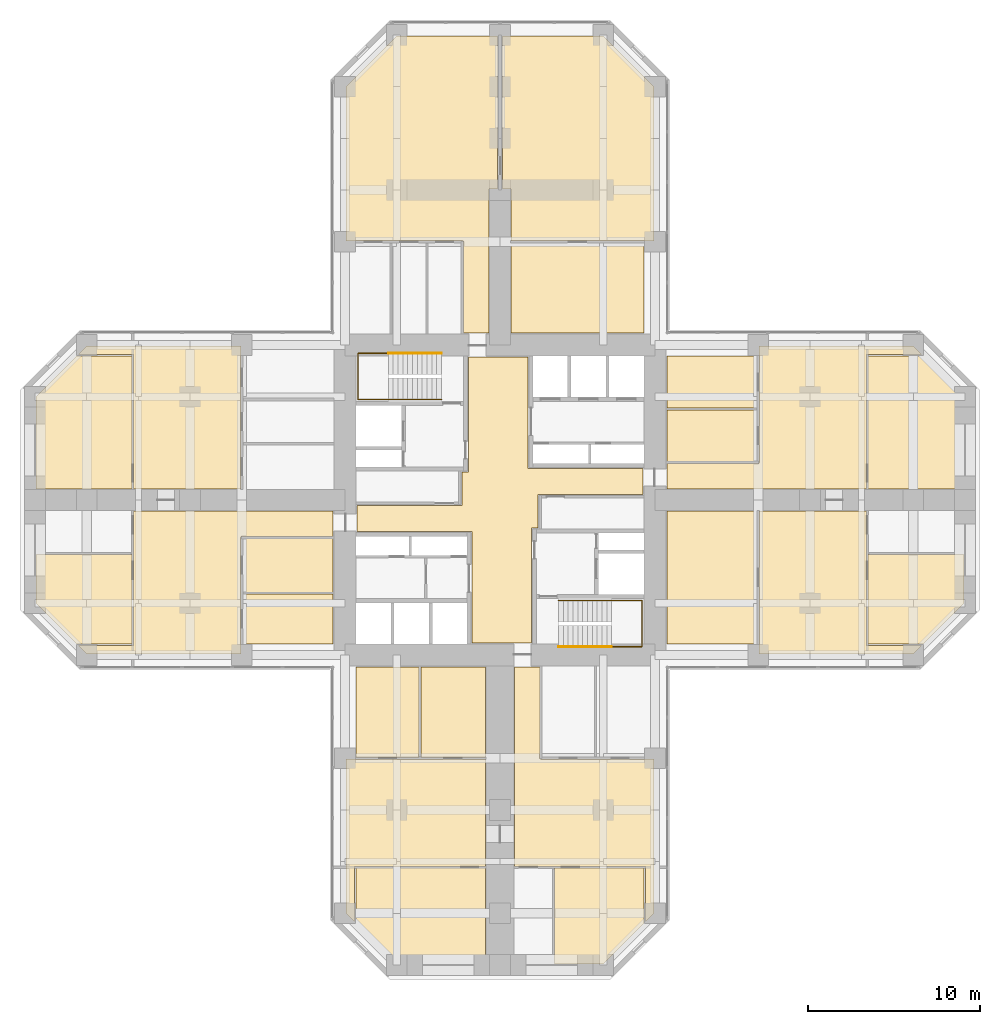
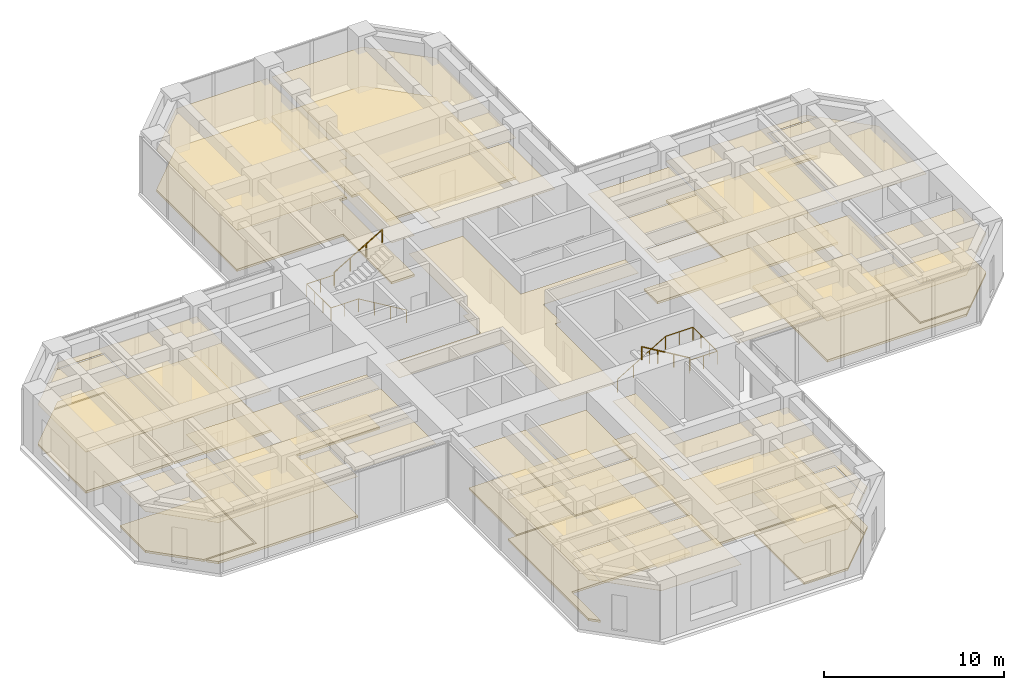
# One storey, part 13 of 13: 37 coverings, 4 railings.
"""IFC4 building model written with IfcOpenShell, lengths in metres."""

from ifc_helpers import new_model, si_unit, direction, frame, origin, origin_2d, place, context, subcontext, project, spatial, polyline, circle, outline, extrude, material, layer, layer_set, constituent, constituent_set, type_object, element, save


model = new_model("IFC4")

# Units and contexts
model_context = context("Model", 3, precision=1e-05, world=origin(), true_north=direction((0.0, 1.0)))
body_context = subcontext(model_context, "Body", "Model", "MODEL_VIEW")
ifc_project = project(units=[si_unit("LENGTHUNIT", "METRE"), si_unit("AREAUNIT", "SQUARE_METRE"), si_unit("VOLUMEUNIT", "CUBIC_METRE"), si_unit("PLANEANGLEUNIT", "RADIAN"), si_unit("MASSUNIT", "GRAM", prefix="KILO")], contexts=[model_context])

# Site, building, storey
site_placement = place(None, origin())
site = spatial("IfcSite", under=ifc_project, at=site_placement, CompositionType="ELEMENT")
building_placement = place(site_placement, origin())
building = spatial("IfcBuilding", under=site, at=building_placement, Name="Torre Cruceta", CompositionType="ELEMENT")
storey_placement = place(building_placement, frame((0.0, 0.0, 47.5)))
storey = spatial("IfcBuildingStorey", under=building, at=storey_placement, Name="L11", CompositionType="ELEMENT", Elevation=47.5)

# Railings
ifc_material_1 = material(Name="Stainless steel 1.4401", Category="steel")
railing_type = type_object("IfcRailingType", Name="HANDRAIL 900", PredefinedType="HANDRAIL", material=ifc_material_1)
railing_1_placement = place(storey_placement, frame((-3.39990234375, 5.8349609375, 0.166748046875)))
element("IfcRailing", 1, at=railing_1_placement, inside=storey, type_object=railing_type, Name="Handrail HR1 ST1 L11", PredefinedType="HANDRAIL", context=body_context, shape_type="SweptSolid", body=[
    extrude(circle(Radius=0.02392578125, at=origin_2d()), frame((0.0, 0.0, 0.8759765625), z_axis=(-0.859308565015, 0.0, 0.511457515432), x_axis=(0.0, -1.0, 0.0)), (0.0, 0.0, 1.0), 3.58447265625),
    extrude(circle(Radius=0.02392578125, at=origin_2d()), frame((-3.080078125, 0.0, 2.708984375), z_axis=(-1.0, 0.0, 0.0), x_axis=(0.0, -1.0, 0.0)), (0.0, 0.0, 1.0), 1.760009765625),
    extrude(circle(Radius=0.02392578125, at=origin_2d()), frame((-4.840087890625, 0.0, 2.708984375), z_axis=(0.0, 1.0, 0.0), x_axis=(-1.0, 0.0, 0.0)), (0.0, 0.0, 1.0), 2.679931640625),
    extrude(circle(Radius=0.02392578125, at=origin_2d()), frame((-4.840087890625, 2.679931640625, 2.708984375), z_axis=(1.0, 0.0, 0.0), x_axis=(0.0, 1.0, 0.0)), (0.0, 0.0, 1.0), 1.760009765625),
    extrude(circle(Radius=0.02099609375, at=origin_2d()), origin(), (0.0, 0.0, 1.0), 0.851806640625),
    extrude(circle(Radius=0.02099609375, at=origin_2d()), frame((-1.026611328125, 0.0, 0.611083984375)), (0.0, 0.0, 1.0), 0.851806640625),
    extrude(circle(Radius=0.02099609375, at=origin_2d()), frame((-2.053466796875, 0.0, 1.22216796875)), (0.0, 0.0, 1.0), 0.851806640625),
    extrude(circle(Radius=0.02099609375, at=origin_2d()), frame((-3.080078125, 0.0, 1.833251953125)), (0.0, 0.0, 1.0), 0.851806640625),
    extrude(circle(Radius=0.02099609375, at=origin_2d()), frame((-3.9599609375, 0.0, 1.833251953125)), (0.0, 0.0, 1.0), 0.851806640625),
    extrude(circle(Radius=0.02099609375, at=origin_2d()), frame((-4.840087890625, 0.0, 1.833251953125)), (0.0, 0.0, 1.0), 0.851806640625),
    extrude(circle(Radius=0.02099609375, at=origin_2d()), frame((-4.840087890625, 0.893310546875, 1.833251953125)), (0.0, 0.0, 1.0), 0.851806640625),
    extrude(circle(Radius=0.02099609375, at=origin_2d()), frame((-4.840087890625, 1.78662109375, 1.833251953125)), (0.0, 0.0, 1.0), 0.851806640625),
    extrude(circle(Radius=0.02099609375, at=origin_2d()), frame((-4.840087890625, 2.679931640625, 1.833251953125)), (0.0, 0.0, 1.0), 0.851806640625),
    extrude(circle(Radius=0.02099609375, at=origin_2d()), frame((-3.9599609375, 2.679931640625, 1.833251953125)), (0.0, 0.0, 1.0), 0.851806640625),
    extrude(circle(Radius=0.02099609375, at=origin_2d()), frame((-3.080078125, 2.679931640625, 1.833251953125)), (0.0, 0.0, 1.0), 0.851806640625),
])
railing_2_placement = place(storey_placement, frame((-6.47998046875, 8.514892578125, 2.166748046875)))
element("IfcRailing", 2, at=railing_2_placement, inside=storey, type_object=railing_type, Name="Handrail HR1 ST1 L11", PredefinedType="HANDRAIL", context=body_context, shape_type="SweptSolid", body=[
    extrude(circle(Radius=0.02392578125, at=origin_2d()), frame((0.0, 0.0, 0.8759765625), z_axis=(0.859308565015, 0.0, 0.511457515432), x_axis=(0.0, 1.0, 0.0)), (0.0, 0.0, 1.0), 3.58447265625),
    extrude(circle(Radius=0.02099609375, at=origin_2d()), origin(), (0.0, 0.0, 1.0), 0.851806640625),
    extrude(circle(Radius=0.02099609375, at=origin_2d()), frame((1.026611328125, 0.0, 0.611083984375)), (0.0, 0.0, 1.0), 0.851806640625),
    extrude(circle(Radius=0.02099609375, at=origin_2d()), frame((2.053466796875, 0.0, 1.22216796875)), (0.0, 0.0, 1.0), 0.851806640625),
    extrude(circle(Radius=0.02099609375, at=origin_2d()), frame((3.080078125, 0.0, 1.833251953125)), (0.0, 0.0, 1.0), 0.851806640625),
])
railing_3_placement = place(storey_placement, frame((3.39990234375, -5.8349609375, 0.166748046875)))
element("IfcRailing", 3, at=railing_3_placement, inside=storey, type_object=railing_type, Name="Handrail HR1 ST2 L11", PredefinedType="HANDRAIL", context=body_context, shape_type="SweptSolid", body=[
    extrude(circle(Radius=0.02392578125, at=origin_2d()), frame((0.0, 0.0, 0.8759765625), z_axis=(0.859308565015, 0.0, 0.511457515432), x_axis=(0.0, 1.0, 0.0)), (0.0, 0.0, 1.0), 3.58447265625),
    extrude(circle(Radius=0.02392578125, at=origin_2d()), frame((3.080078125, 0.0, 2.708984375), z_axis=(1.0, 0.0, 0.0), x_axis=(0.0, 1.0, 0.0)), (0.0, 0.0, 1.0), 1.760009765625),
    extrude(circle(Radius=0.02392578125, at=origin_2d()), frame((4.840087890625, 0.0, 2.708984375), z_axis=(0.0, -1.0, 0.0), x_axis=(1.0, 0.0, 0.0)), (0.0, 0.0, 1.0), 2.679931640625),
    extrude(circle(Radius=0.02392578125, at=origin_2d()), frame((4.840087890625, -2.679931640625, 2.708984375), z_axis=(-1.0, 0.0, 0.0), x_axis=(0.0, -1.0, 0.0)), (0.0, 0.0, 1.0), 1.760009765625),
    extrude(circle(Radius=0.02099609375, at=origin_2d()), origin(), (0.0, 0.0, 1.0), 0.851806640625),
    extrude(circle(Radius=0.02099609375, at=origin_2d()), frame((1.026611328125, 0.0, 0.611083984375)), (0.0, 0.0, 1.0), 0.851806640625),
    extrude(circle(Radius=0.02099609375, at=origin_2d()), frame((2.053466796875, 0.0, 1.22216796875)), (0.0, 0.0, 1.0), 0.851806640625),
    extrude(circle(Radius=0.02099609375, at=origin_2d()), frame((3.080078125, 0.0, 1.833251953125)), (0.0, 0.0, 1.0), 0.851806640625),
    extrude(circle(Radius=0.02099609375, at=origin_2d()), frame((3.9599609375, 0.0, 1.833251953125)), (0.0, 0.0, 1.0), 0.851806640625),
    extrude(circle(Radius=0.02099609375, at=origin_2d()), frame((4.840087890625, 0.0, 1.833251953125)), (0.0, 0.0, 1.0), 0.851806640625),
    extrude(circle(Radius=0.02099609375, at=origin_2d()), frame((4.840087890625, -0.893310546875, 1.833251953125)), (0.0, 0.0, 1.0), 0.851806640625),
    extrude(circle(Radius=0.02099609375, at=origin_2d()), frame((4.840087890625, -1.78662109375, 1.833251953125)), (0.0, 0.0, 1.0), 0.851806640625),
    extrude(circle(Radius=0.02099609375, at=origin_2d()), frame((4.840087890625, -2.679931640625, 1.833251953125)), (0.0, 0.0, 1.0), 0.851806640625),
    extrude(circle(Radius=0.02099609375, at=origin_2d()), frame((3.9599609375, -2.679931640625, 1.833251953125)), (0.0, 0.0, 1.0), 0.851806640625),
    extrude(circle(Radius=0.02099609375, at=origin_2d()), frame((3.080078125, -2.679931640625, 1.833251953125)), (0.0, 0.0, 1.0), 0.851806640625),
])
railing_4_placement = place(storey_placement, frame((6.47998046875, -8.514892578125, 2.166748046875)))
element("IfcRailing", 4, at=railing_4_placement, inside=storey, type_object=railing_type, Name="Handrail HR1 ST2 L11", PredefinedType="HANDRAIL", context=body_context, shape_type="SweptSolid", body=[
    extrude(circle(Radius=0.02392578125, at=origin_2d()), frame((0.0, 0.0, 0.8759765625), z_axis=(-0.859308565015, 0.0, 0.511457515432), x_axis=(0.0, -1.0, 0.0)), (0.0, 0.0, 1.0), 3.58447265625),
    extrude(circle(Radius=0.02099609375, at=origin_2d()), origin(), (0.0, 0.0, 1.0), 0.851806640625),
    extrude(circle(Radius=0.02099609375, at=origin_2d()), frame((-1.026611328125, 0.0, 0.611083984375)), (0.0, 0.0, 1.0), 0.851806640625),
    extrude(circle(Radius=0.02099609375, at=origin_2d()), frame((-2.053466796875, 0.0, 1.22216796875)), (0.0, 0.0, 1.0), 0.851806640625),
    extrude(circle(Radius=0.02099609375, at=origin_2d()), frame((-3.080078125, 0.0, 1.833251953125)), (0.0, 0.0, 1.0), 0.851806640625),
])

# Coverings
ifc_material_2 = material(Name="Steel DX51D", Category="steel")
ifc_constituent_1 = constituent(ifc_material_2, Name="Panel casing")
ifc_material_3 = material(Name="Calcium sulphate", Category="gypsum")
ifc_constituent_2 = constituent(ifc_material_3, Name="Panel core")
ifc_constituent_set = constituent_set(constituents=[ifc_constituent_1, ifc_constituent_2], Name="Raised access floor panel")
covering_type_1 = type_object("IfcCoveringType", Name="RAISED ACCESS FLOOR 150", PredefinedType="FLOORING", material=ifc_constituent_set)
covering_1_placement = place(storey_placement, origin())
element("IfcCovering", 5, at=covering_1_placement, inside=storey, type_object=covering_type_1, Name="Raised floor L11-029", PredefinedType="FLOORING", context=body_context, shape_type="SweptSolid", body=[
    extrude(outline(polyline([(-0.14990234375, 26.949951171875), (-0.14990234375, 18.050048828125), (-0.64990234375, 18.050048828125), (-0.64990234375, 9.699951171875), (-2.125, 9.699951171875), (-2.125, 15.050048828125), (-8.949951171875, 15.050048828125), (-8.949951171875, 23.979248046875), (-5.979248046875, 26.949951171875), (-0.14990234375, 26.949951171875)])), origin(), (0.0, 0.0, 1.0), 0.14990234375),
])
covering_2_placement = place(storey_placement, origin())
element("IfcCovering", 6, at=covering_2_placement, inside=storey, type_object=covering_type_1, Name="Raised floor L11-030", PredefinedType="FLOORING", context=body_context, shape_type="SweptSolid", body=[
    extrude(outline(polyline([(5.979248046875, 26.949951171875), (8.949951171875, 23.979248046875), (8.949951171875, 15.050048828125), (0.64990234375, 15.050048828125), (0.64990234375, 18.050048828125), (0.14990234375, 18.050048828125), (0.14990234375, 26.949951171875), (5.979248046875, 26.949951171875)])), origin(), (0.0, 0.0, 1.0), 0.14990234375),
])
covering_3_placement = place(storey_placement, origin())
element("IfcCovering", 7, at=covering_3_placement, inside=storey, type_object=covering_type_1, Name="Raised floor L11-036", PredefinedType="FLOORING", context=body_context, shape_type="SweptSolid", body=[
    extrude(outline(polyline([(24.579345703125, -8.35009765625), (21.3701171875, -8.35009765625), (21.3701171875, -3.16796875), (26.949951171875, -3.16796875), (26.949951171875, -5.979248046875), (24.579345703125, -8.35009765625)])), origin(), (0.0, 0.0, 1.0), 0.14990234375),
])
covering_4_placement = place(storey_placement, origin())
element("IfcCovering", 8, at=covering_4_placement, inside=storey, type_object=covering_type_1, Name="Raised floor L11-037", PredefinedType="FLOORING", context=body_context, shape_type="SweptSolid", body=[
    extrude(outline(polyline([(9.699951171875, 2.125), (15.050048828125, 2.125), (15.050048828125, 8.949951171875), (23.979248046875, 8.949951171875), (24.479248046875, 8.449951171875), (21.27001953125, 8.449951171875), (21.27001953125, 0.64990234375), (9.699951171875, 0.64990234375), (9.699951171875, 2.125)])), origin(), (0.0, 0.0, 1.0), 0.14990234375),
])
covering_5_placement = place(storey_placement, origin())
element("IfcCovering", 9, at=covering_5_placement, inside=storey, type_object=covering_type_1, Name="Raised floor L11-038", PredefinedType="FLOORING", context=body_context, shape_type="SweptSolid", body=[
    extrude(outline(polyline([(15.050048828125, -8.949951171875), (15.050048828125, -0.64990234375), (21.27001953125, -0.64990234375), (21.27001953125, -8.449951171875), (24.479248046875, -8.449951171875), (23.979248046875, -8.949951171875), (15.050048828125, -8.949951171875)])), origin(), (0.0, 0.0, 1.0), 0.14990234375),
])
covering_6_placement = place(storey_placement, origin())
element("IfcCovering", 10, at=covering_6_placement, inside=storey, type_object=covering_type_1, Name="Raised floor L11-041", PredefinedType="FLOORING", context=body_context, shape_type="SweptSolid", body=[
    extrude(outline(polyline([(-4.60009765625, -9.699951171875), (-0.85009765625, -9.699951171875), (-0.85009765625, -14.949951171875), (-4.60009765625, -14.949951171875), (-4.60009765625, -9.699951171875)])), origin(), (0.0, 0.0, 1.0), 0.14990234375),
])
covering_7_placement = place(storey_placement, origin())
element("IfcCovering", 11, at=covering_7_placement, inside=storey, type_object=covering_type_1, Name="Raised floor L11-042", PredefinedType="FLOORING", context=body_context, shape_type="SweptSolid", body=[
    extrude(outline(polyline([(-8.35009765625, -9.699951171875), (-4.699951171875, -9.699951171875), (-4.699951171875, -14.949951171875), (-8.35009765625, -14.949951171875), (-8.35009765625, -9.699951171875)])), origin(), (0.0, 0.0, 1.0), 0.14990234375),
])
covering_8_placement = place(storey_placement, origin())
element("IfcCovering", 12, at=covering_8_placement, inside=storey, type_object=covering_type_1, Name="Raised floor L11-044", PredefinedType="FLOORING", context=body_context, shape_type="SweptSolid", body=[
    extrude(outline(polyline([(3.16796875, -26.949951171875), (3.16796875, -21.3701171875), (8.35009765625, -21.3701171875), (8.35009765625, -24.579345703125), (5.979248046875, -26.949951171875), (3.16796875, -26.949951171875)])), origin(), (0.0, 0.0, 1.0), 0.14990234375),
])
covering_9_placement = place(storey_placement, origin())
element("IfcCovering", 13, at=covering_9_placement, inside=storey, type_object=covering_type_1, Name="Raised floor L11-046", PredefinedType="FLOORING", context=body_context, shape_type="SweptSolid", body=[
    extrude(outline(polyline([(2.324951171875, -9.699951171875), (2.324951171875, -15.050048828125), (8.949951171875, -15.050048828125), (8.949951171875, -23.979248046875), (8.449951171875, -24.479248046875), (8.449951171875, -21.27001953125), (0.85009765625, -21.27001953125), (0.85009765625, -9.699951171875), (2.324951171875, -9.699951171875)])), origin(), (0.0, 0.0, 1.0), 0.14990234375),
])
covering_10_placement = place(storey_placement, origin())
element("IfcCovering", 14, at=covering_10_placement, inside=storey, type_object=covering_type_1, Name="Raised floor L11-047", PredefinedType="FLOORING", context=body_context, shape_type="SweptSolid", body=[
    extrude(outline(polyline([(-8.949951171875, -15.050048828125), (-0.85009765625, -15.050048828125), (-0.85009765625, -21.27001953125), (-8.449951171875, -21.27001953125), (-8.449951171875, -24.479248046875), (-8.949951171875, -23.979248046875), (-8.949951171875, -15.050048828125)])), origin(), (0.0, 0.0, 1.0), 0.14990234375),
])
covering_11_placement = place(storey_placement, origin())
element("IfcCovering", 15, at=covering_11_placement, inside=storey, type_object=covering_type_1, Name="Raised floor L11-054", PredefinedType="FLOORING", context=body_context, shape_type="SweptSolid", body=[
    extrude(outline(polyline([(-26.949951171875, -3.16796875), (-21.3701171875, -3.16796875), (-21.3701171875, -8.35009765625), (-24.579345703125, -8.35009765625), (-26.949951171875, -5.979248046875), (-26.949951171875, -3.16796875)])), origin(), (0.0, 0.0, 1.0), 0.14990234375),
])
covering_12_placement = place(storey_placement, origin())
element("IfcCovering", 16, at=covering_12_placement, inside=storey, type_object=covering_type_1, Name="Raised floor L11-055", PredefinedType="FLOORING", context=body_context, shape_type="SweptSolid", body=[
    extrude(outline(polyline([(-24.579345703125, 8.35009765625), (-21.3701171875, 8.35009765625), (-21.3701171875, 0.64990234375), (-26.949951171875, 0.64990234375), (-26.949951171875, 5.979248046875), (-24.579345703125, 8.35009765625)])), origin(), (0.0, 0.0, 1.0), 0.14990234375),
])
covering_13_placement = place(storey_placement, origin())
element("IfcCovering", 17, at=covering_13_placement, inside=storey, type_object=covering_type_1, Name="Raised floor L11-056", PredefinedType="FLOORING", context=body_context, shape_type="SweptSolid", body=[
    extrude(outline(polyline([(-9.699951171875, -2.125), (-15.050048828125, -2.125), (-15.050048828125, -8.949951171875), (-23.979248046875, -8.949951171875), (-24.479248046875, -8.449951171875), (-21.27001953125, -8.449951171875), (-21.27001953125, -0.64990234375), (-9.699951171875, -0.64990234375), (-9.699951171875, -2.125)])), origin(), (0.0, 0.0, 1.0), 0.14990234375),
])
covering_14_placement = place(storey_placement, origin())
element("IfcCovering", 18, at=covering_14_placement, inside=storey, type_object=covering_type_1, Name="Raised floor L11-057", PredefinedType="FLOORING", context=body_context, shape_type="SweptSolid", body=[
    extrude(outline(polyline([(-15.050048828125, 8.949951171875), (-15.050048828125, 0.64990234375), (-21.27001953125, 0.64990234375), (-21.27001953125, 8.449951171875), (-24.479248046875, 8.449951171875), (-23.979248046875, 8.949951171875), (-15.050048828125, 8.949951171875)])), origin(), (0.0, 0.0, 1.0), 0.14990234375),
])
ifc_material_4 = material(Name="Mineral fibre ceiling tile", Category="gypsum")
ifc_layer = layer(ifc_material_4, 0.02001953125)
ifc_layer_set = layer_set([ifc_layer], Name="Mineral fibre ceiling tile")
covering_type_2 = type_object("IfcCoveringType", Name="SUSPENDED CEILING 20", PredefinedType="CEILING", material=ifc_layer_set)
covering_15_placement = place(storey_placement, frame((0.0, 0.0, 2.780029296875)))
element("IfcCovering", 19, at=covering_15_placement, inside=storey, type_object=covering_type_2, Name="Ceiling L11-001", PredefinedType="CEILING", context=body_context, shape_type="SweptSolid", body=[
    extrude(outline(polyline([(1.824951171875, -8.300048828125), (-1.625, -8.300048828125), (-1.625, -1.824951171875), (-8.300048828125, -1.824951171875), (-8.300048828125, -0.324951171875), (-2.199951171875, -0.324951171875), (-2.199951171875, 1.625), (-1.824951171875, 1.625), (-1.824951171875, 8.300048828125), (1.625, 8.300048828125), (1.625, 1.824951171875), (8.300048828125, 1.824951171875), (8.300048828125, 0.324951171875), (2.199951171875, 0.324951171875), (2.199951171875, -1.625), (1.824951171875, -1.625), (1.824951171875, -8.300048828125)])), origin(), (0.0, 0.0, 1.0), 0.02001953125),
])
covering_16_placement = place(storey_placement, frame((0.0, 0.0, 2.780029296875)))
element("IfcCovering", 20, at=covering_16_placement, inside=storey, type_object=covering_type_2, Name="Ceiling L11-028", PredefinedType="CEILING", context=body_context, shape_type="SweptSolid", body=[
    extrude(outline(polyline([(8.35009765625, 9.699951171875), (0.64990234375, 9.699951171875), (0.64990234375, 14.949951171875), (8.35009765625, 14.949951171875), (8.35009765625, 9.699951171875)])), origin(), (0.0, 0.0, 1.0), 0.02001953125),
])
covering_17_placement = place(storey_placement, frame((0.0, 0.0, 2.780029296875)))
element("IfcCovering", 21, at=covering_17_placement, inside=storey, type_object=covering_type_2, Name="Ceiling L11-029", PredefinedType="CEILING", context=body_context, shape_type="SweptSolid", body=[
    extrude(outline(polyline([(-0.14990234375, 26.949951171875), (-0.14990234375, 18.050048828125), (-0.64990234375, 18.050048828125), (-0.64990234375, 9.699951171875), (-2.125, 9.699951171875), (-2.125, 15.050048828125), (-8.949951171875, 15.050048828125), (-8.949951171875, 23.979248046875), (-5.979248046875, 26.949951171875), (-0.14990234375, 26.949951171875)])), origin(), (0.0, 0.0, 1.0), 0.02001953125),
])
covering_18_placement = place(storey_placement, frame((0.0, 0.0, 2.780029296875)))
element("IfcCovering", 22, at=covering_18_placement, inside=storey, type_object=covering_type_2, Name="Ceiling L11-030", PredefinedType="CEILING", context=body_context, shape_type="SweptSolid", body=[
    extrude(outline(polyline([(5.979248046875, 26.949951171875), (8.949951171875, 23.979248046875), (8.949951171875, 15.050048828125), (0.64990234375, 15.050048828125), (0.64990234375, 18.050048828125), (0.14990234375, 18.050048828125), (0.14990234375, 26.949951171875), (5.979248046875, 26.949951171875)])), origin(), (0.0, 0.0, 1.0), 0.02001953125),
])
covering_19_placement = place(storey_placement, frame((0.0, 0.0, 2.780029296875)))
element("IfcCovering", 23, at=covering_19_placement, inside=storey, type_object=covering_type_2, Name="Ceiling L11-031", PredefinedType="CEILING", context=body_context, shape_type="SweptSolid", body=[
    extrude(outline(polyline([(9.699951171875, 2.22509765625), (9.699951171875, 5.237548828125), (14.949951171875, 5.237548828125), (14.949951171875, 2.22509765625), (9.699951171875, 2.22509765625)])), origin(), (0.0, 0.0, 1.0), 0.02001953125),
])
covering_20_placement = place(storey_placement, frame((0.0, 0.0, 2.780029296875)))
element("IfcCovering", 24, at=covering_20_placement, inside=storey, type_object=covering_type_2, Name="Ceiling L11-032", PredefinedType="CEILING", context=body_context, shape_type="SweptSolid", body=[
    extrude(outline(polyline([(9.699951171875, 5.33740234375), (9.699951171875, 8.35009765625), (14.949951171875, 8.35009765625), (14.949951171875, 5.33740234375), (9.699951171875, 5.33740234375)])), origin(), (0.0, 0.0, 1.0), 0.02001953125),
])
covering_21_placement = place(storey_placement, frame((0.0, 0.0, 2.780029296875)))
element("IfcCovering", 25, at=covering_21_placement, inside=storey, type_object=covering_type_2, Name="Ceiling L11-033", PredefinedType="CEILING", context=body_context, shape_type="SweptSolid", body=[
    extrude(outline(polyline([(9.699951171875, -8.35009765625), (9.699951171875, -0.64990234375), (14.949951171875, -0.64990234375), (14.949951171875, -8.35009765625), (9.699951171875, -8.35009765625)])), origin(), (0.0, 0.0, 1.0), 0.02001953125),
])
covering_22_placement = place(storey_placement, frame((0.0, 0.0, 2.780029296875)))
element("IfcCovering", 26, at=covering_22_placement, inside=storey, type_object=covering_type_2, Name="Ceiling L11-034", PredefinedType="CEILING", context=body_context, shape_type="SweptSolid", body=[
    extrude(outline(polyline([(26.949951171875, 0.64990234375), (21.3701171875, 0.64990234375), (21.3701171875, 8.35009765625), (24.579345703125, 8.35009765625), (26.949951171875, 5.979248046875), (26.949951171875, 0.64990234375)])), origin(), (0.0, 0.0, 1.0), 0.02001953125),
])
covering_23_placement = place(storey_placement, frame((0.0, 0.0, 2.780029296875)))
element("IfcCovering", 27, at=covering_23_placement, inside=storey, type_object=covering_type_2, Name="Ceiling L11-036", PredefinedType="CEILING", context=body_context, shape_type="SweptSolid", body=[
    extrude(outline(polyline([(24.579345703125, -8.35009765625), (21.3701171875, -8.35009765625), (21.3701171875, -3.16796875), (26.949951171875, -3.16796875), (26.949951171875, -5.979248046875), (24.579345703125, -8.35009765625)])), origin(), (0.0, 0.0, 1.0), 0.02001953125),
])
covering_24_placement = place(storey_placement, frame((0.0, 0.0, 2.780029296875)))
element("IfcCovering", 28, at=covering_24_placement, inside=storey, type_object=covering_type_2, Name="Ceiling L11-037", PredefinedType="CEILING", context=body_context, shape_type="SweptSolid", body=[
    extrude(outline(polyline([(9.699951171875, 2.125), (15.050048828125, 2.125), (15.050048828125, 8.949951171875), (23.979248046875, 8.949951171875), (24.479248046875, 8.449951171875), (21.27001953125, 8.449951171875), (21.27001953125, 0.64990234375), (9.699951171875, 0.64990234375), (9.699951171875, 2.125)])), origin(), (0.0, 0.0, 1.0), 0.02001953125),
])
covering_25_placement = place(storey_placement, frame((0.0, 0.0, 2.780029296875)))
element("IfcCovering", 29, at=covering_25_placement, inside=storey, type_object=covering_type_2, Name="Ceiling L11-038", PredefinedType="CEILING", context=body_context, shape_type="SweptSolid", body=[
    extrude(outline(polyline([(15.050048828125, -8.949951171875), (15.050048828125, -0.64990234375), (21.27001953125, -0.64990234375), (21.27001953125, -8.449951171875), (24.479248046875, -8.449951171875), (23.979248046875, -8.949951171875), (15.050048828125, -8.949951171875)])), origin(), (0.0, 0.0, 1.0), 0.02001953125),
])
covering_26_placement = place(storey_placement, frame((0.0, 0.0, 2.780029296875)))
element("IfcCovering", 30, at=covering_26_placement, inside=storey, type_object=covering_type_2, Name="Ceiling L11-041", PredefinedType="CEILING", context=body_context, shape_type="SweptSolid", body=[
    extrude(outline(polyline([(-4.60009765625, -9.699951171875), (-0.85009765625, -9.699951171875), (-0.85009765625, -14.949951171875), (-4.60009765625, -14.949951171875), (-4.60009765625, -9.699951171875)])), origin(), (0.0, 0.0, 1.0), 0.02001953125),
])
covering_27_placement = place(storey_placement, frame((0.0, 0.0, 2.780029296875)))
element("IfcCovering", 31, at=covering_27_placement, inside=storey, type_object=covering_type_2, Name="Ceiling L11-042", PredefinedType="CEILING", context=body_context, shape_type="SweptSolid", body=[
    extrude(outline(polyline([(-8.35009765625, -9.699951171875), (-4.699951171875, -9.699951171875), (-4.699951171875, -14.949951171875), (-8.35009765625, -14.949951171875), (-8.35009765625, -9.699951171875)])), origin(), (0.0, 0.0, 1.0), 0.02001953125),
])
covering_28_placement = place(storey_placement, frame((0.0, 0.0, 2.780029296875)))
element("IfcCovering", 32, at=covering_28_placement, inside=storey, type_object=covering_type_2, Name="Ceiling L11-044", PredefinedType="CEILING", context=body_context, shape_type="SweptSolid", body=[
    extrude(outline(polyline([(3.16796875, -26.949951171875), (3.16796875, -21.3701171875), (8.35009765625, -21.3701171875), (8.35009765625, -24.579345703125), (5.979248046875, -26.949951171875), (3.16796875, -26.949951171875)])), origin(), (0.0, 0.0, 1.0), 0.02001953125),
])
covering_29_placement = place(storey_placement, frame((0.0, 0.0, 2.780029296875)))
element("IfcCovering", 33, at=covering_29_placement, inside=storey, type_object=covering_type_2, Name="Ceiling L11-045", PredefinedType="CEILING", context=body_context, shape_type="SweptSolid", body=[
    extrude(outline(polyline([(-8.35009765625, -24.579345703125), (-8.35009765625, -21.3701171875), (-0.85009765625, -21.3701171875), (-0.85009765625, -26.949951171875), (-5.979248046875, -26.949951171875), (-8.35009765625, -24.579345703125)])), origin(), (0.0, 0.0, 1.0), 0.02001953125),
])
covering_30_placement = place(storey_placement, frame((0.0, 0.0, 2.780029296875)))
element("IfcCovering", 34, at=covering_30_placement, inside=storey, type_object=covering_type_2, Name="Ceiling L11-046", PredefinedType="CEILING", context=body_context, shape_type="SweptSolid", body=[
    extrude(outline(polyline([(2.324951171875, -9.699951171875), (2.324951171875, -15.050048828125), (8.949951171875, -15.050048828125), (8.949951171875, -23.979248046875), (8.449951171875, -24.479248046875), (8.449951171875, -21.27001953125), (0.85009765625, -21.27001953125), (0.85009765625, -9.699951171875), (2.324951171875, -9.699951171875)])), origin(), (0.0, 0.0, 1.0), 0.02001953125),
])
covering_31_placement = place(storey_placement, frame((0.0, 0.0, 2.780029296875)))
element("IfcCovering", 35, at=covering_31_placement, inside=storey, type_object=covering_type_2, Name="Ceiling L11-047", PredefinedType="CEILING", context=body_context, shape_type="SweptSolid", body=[
    extrude(outline(polyline([(-8.949951171875, -15.050048828125), (-0.85009765625, -15.050048828125), (-0.85009765625, -21.27001953125), (-8.449951171875, -21.27001953125), (-8.449951171875, -24.479248046875), (-8.949951171875, -23.979248046875), (-8.949951171875, -15.050048828125)])), origin(), (0.0, 0.0, 1.0), 0.02001953125),
])
covering_32_placement = place(storey_placement, frame((0.0, 0.0, 2.780029296875)))
element("IfcCovering", 36, at=covering_32_placement, inside=storey, type_object=covering_type_2, Name="Ceiling L11-048", PredefinedType="CEILING", context=body_context, shape_type="SweptSolid", body=[
    extrude(outline(polyline([(-9.699951171875, -2.22509765625), (-9.699951171875, -5.362060546875), (-14.949951171875, -5.362060546875), (-14.949951171875, -2.22509765625), (-9.699951171875, -2.22509765625)])), origin(), (0.0, 0.0, 1.0), 0.02001953125),
])
covering_33_placement = place(storey_placement, frame((0.0, 0.0, 2.780029296875)))
element("IfcCovering", 37, at=covering_33_placement, inside=storey, type_object=covering_type_2, Name="Ceiling L11-049", PredefinedType="CEILING", context=body_context, shape_type="SweptSolid", body=[
    extrude(outline(polyline([(-9.699951171875, -5.4619140625), (-9.699951171875, -8.35009765625), (-14.949951171875, -8.35009765625), (-14.949951171875, -5.4619140625), (-9.699951171875, -5.4619140625)])), origin(), (0.0, 0.0, 1.0), 0.02001953125),
])
covering_34_placement = place(storey_placement, frame((0.0, 0.0, 2.780029296875)))
element("IfcCovering", 38, at=covering_34_placement, inside=storey, type_object=covering_type_2, Name="Ceiling L11-054", PredefinedType="CEILING", context=body_context, shape_type="SweptSolid", body=[
    extrude(outline(polyline([(-26.949951171875, -3.16796875), (-21.3701171875, -3.16796875), (-21.3701171875, -8.35009765625), (-24.579345703125, -8.35009765625), (-26.949951171875, -5.979248046875), (-26.949951171875, -3.16796875)])), origin(), (0.0, 0.0, 1.0), 0.02001953125),
])
covering_35_placement = place(storey_placement, frame((0.0, 0.0, 2.780029296875)))
element("IfcCovering", 39, at=covering_35_placement, inside=storey, type_object=covering_type_2, Name="Ceiling L11-055", PredefinedType="CEILING", context=body_context, shape_type="SweptSolid", body=[
    extrude(outline(polyline([(-24.579345703125, 8.35009765625), (-21.3701171875, 8.35009765625), (-21.3701171875, 0.64990234375), (-26.949951171875, 0.64990234375), (-26.949951171875, 5.979248046875), (-24.579345703125, 8.35009765625)])), origin(), (0.0, 0.0, 1.0), 0.02001953125),
])
covering_36_placement = place(storey_placement, frame((0.0, 0.0, 2.780029296875)))
element("IfcCovering", 40, at=covering_36_placement, inside=storey, type_object=covering_type_2, Name="Ceiling L11-056", PredefinedType="CEILING", context=body_context, shape_type="SweptSolid", body=[
    extrude(outline(polyline([(-9.699951171875, -2.125), (-15.050048828125, -2.125), (-15.050048828125, -8.949951171875), (-23.979248046875, -8.949951171875), (-24.479248046875, -8.449951171875), (-21.27001953125, -8.449951171875), (-21.27001953125, -0.64990234375), (-9.699951171875, -0.64990234375), (-9.699951171875, -2.125)])), origin(), (0.0, 0.0, 1.0), 0.02001953125),
])
covering_37_placement = place(storey_placement, frame((0.0, 0.0, 2.780029296875)))
element("IfcCovering", 41, at=covering_37_placement, inside=storey, type_object=covering_type_2, Name="Ceiling L11-057", PredefinedType="CEILING", context=body_context, shape_type="SweptSolid", body=[
    extrude(outline(polyline([(-15.050048828125, 8.949951171875), (-15.050048828125, 0.64990234375), (-21.27001953125, 0.64990234375), (-21.27001953125, 8.449951171875), (-24.479248046875, 8.449951171875), (-23.979248046875, 8.949951171875), (-15.050048828125, 8.949951171875)])), origin(), (0.0, 0.0, 1.0), 0.02001953125),
])

save(model, "model.ifc")
